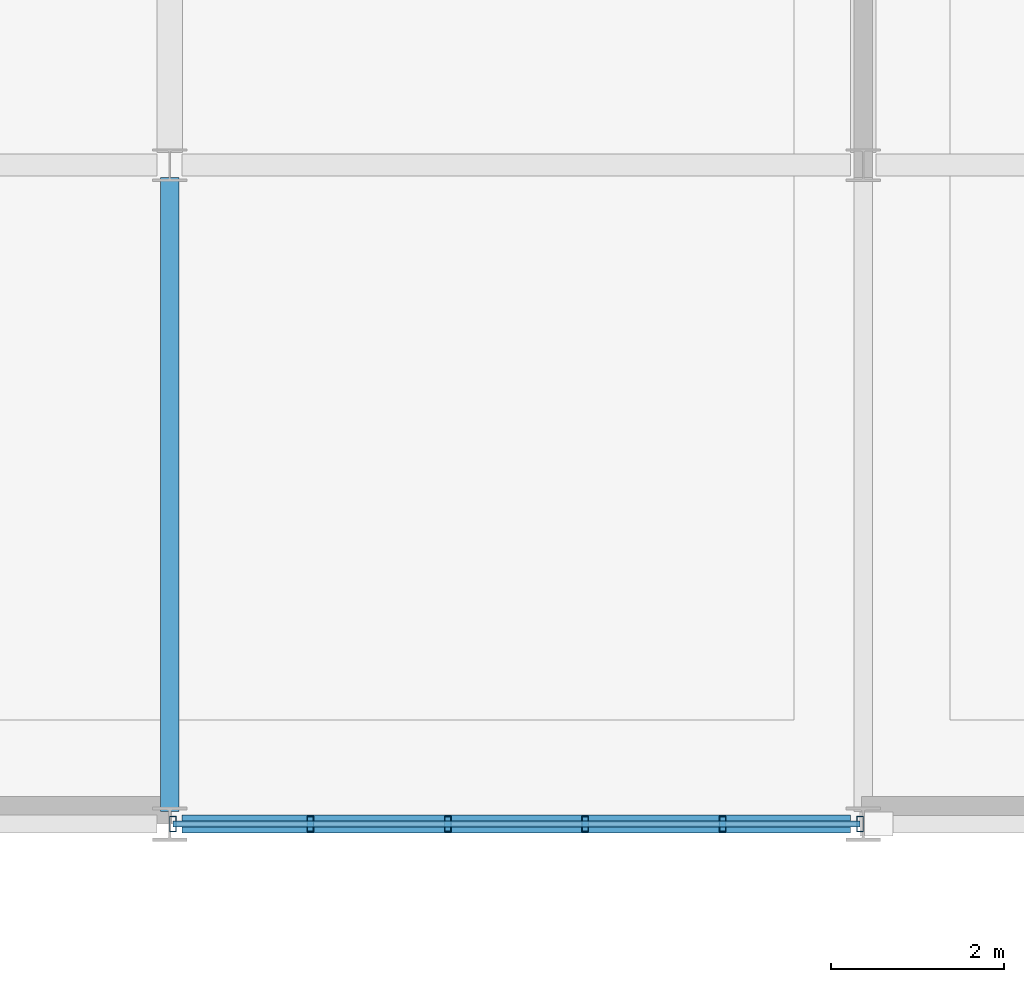
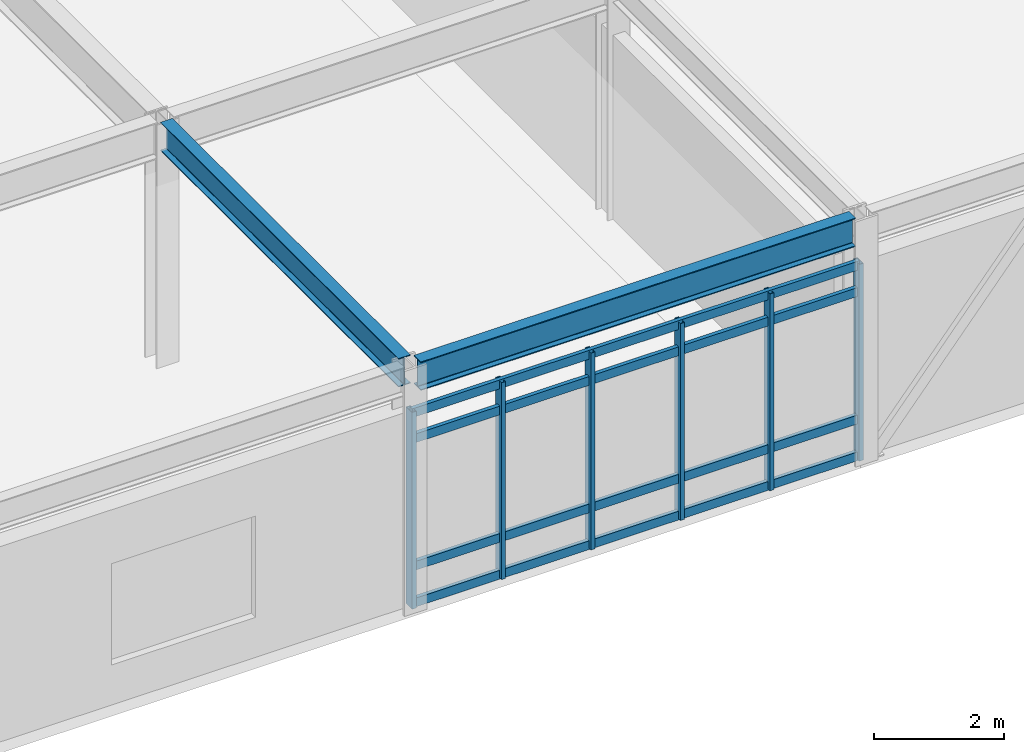
# One storey, part 57 of 104: 10 members, 2 beams, 1 element without a shape of its own.
"""IFC4 building model written with IfcOpenShell, lengths in metres."""

import ifcopenshell
import ifcopenshell.guid

model = None  # the IFC model being written
_history = None  # IfcOwnerHistory: only IFC2X3 demands one
_inside = {}  # id of a spatial element -> (the spatial element, [elements in it])
_under = {}  # id of a project, library or spatial element -> (it, [spatial elements below it])
_declared = {}  # id of a project -> (the project, [libraries it declares])
_typed = {}  # id of a type object -> (the type object, [elements of that type])
_made_of = {}  # id of a material, layer set ... -> (it, [elements and type objects made of it])


def new_model(schema):
    """Start an empty IFC model of exactly this schema.

    Asked for "IFC4X3", IfcOpenShell would pick the latest addendum, in which some entities
    have other attributes; the version numbers below select the first issue.
    IFC2X3 requires an IfcOwnerHistory on every rooted entity: one is made here for all.
    """
    global model, _history
    if schema == "IFC4X3":
        model = ifcopenshell.file(schema_version=(4, 3, 0, 0))
    else:
        model = ifcopenshell.file(schema=schema)
    _inside.clear()
    _under.clear()
    _declared.clear()
    _typed.clear()
    _made_of.clear()
    _history = None
    if model.schema == "IFC2X3":
        org = make("IfcOrganization", Name="unknown")
        user = make(
            "IfcPersonAndOrganization",
            ThePerson=make("IfcPerson", FamilyName="unknown"),
            TheOrganization=org,
        )
        app = make(
            "IfcApplication",
            ApplicationDeveloper=org,
            Version="unknown",
            ApplicationFullName="unknown",
            ApplicationIdentifier="unknown",
        )
        _history = make(
            "IfcOwnerHistory",
            OwningUser=user,
            OwningApplication=app,
            ChangeAction="ADDED",
            CreationDate=0,
        )
    return model


def make(cls, **values):
    """One entity of the class cls with the attributes given. An attribute that is None is left unset."""
    return model.create_entity(
        cls, **{name: value for name, value in values.items() if value is not None}
    )


def rooted(cls, **values):
    """An entity with a GlobalId (a new one), such as an element, a storey or a relation."""
    return make(cls, GlobalId=ifcopenshell.guid.new(), OwnerHistory=_history, **values)


def si_unit(unit_type, name, prefix=None):
    """IfcSIUnit, for example si_unit("LENGTHUNIT", "METRE", prefix="MILLI")."""
    return make("IfcSIUnit", UnitType=unit_type, Prefix=prefix, Name=name)


def assignment(units):
    """IfcUnitAssignment: the units of a project."""
    return None if units is None else make("IfcUnitAssignment", Units=units)


def point(xyz):
    """IfcCartesianPoint."""
    return None if xyz is None else make("IfcCartesianPoint", Coordinates=xyz)


def direction(xyz):
    """IfcDirection."""
    return None if xyz is None else make("IfcDirection", DirectionRatios=xyz)


def frame(location, z_axis=None, x_axis=None):
    """IfcAxis2Placement3D, a coordinate frame: its origin and axes. An axis left out is left unset."""
    return make(
        "IfcAxis2Placement3D",
        Location=point(location),
        Axis=direction(z_axis),
        RefDirection=direction(x_axis),
    )


def frame_2d(location, x_axis=None):
    """IfcAxis2Placement2D, a coordinate frame in the plane: its origin and x axis."""
    return make(
        "IfcAxis2Placement2D", Location=point(location), RefDirection=direction(x_axis)
    )


def origin():
    """The frame at (0, 0, 0) with its axes left unset."""
    return frame((0.0, 0.0, 0.0))


def origin_2d():
    """The frame at (0, 0) in the plane with its x axis left unset."""
    return frame_2d((0.0, 0.0))


def place(relative_to, where):
    """IfcLocalPlacement: puts the frame where relative to a parent placement (None: the world)."""
    return make(
        "IfcLocalPlacement", PlacementRelTo=relative_to, RelativePlacement=where
    )


def context(
    kind, dimensions, precision=None, world=None, true_north=None, identifier=None
):
    """IfcGeometricRepresentationContext, for example the 3D "Model" context."""
    return make(
        "IfcGeometricRepresentationContext",
        ContextIdentifier=identifier,
        ContextType=kind,
        CoordinateSpaceDimension=dimensions,
        Precision=precision,
        WorldCoordinateSystem=world,
        TrueNorth=true_north,
    )


def subcontext(parent, identifier, kind, view, scale=None):
    """IfcGeometricRepresentationSubContext, for example "Body" below "Model"."""
    return make(
        "IfcGeometricRepresentationSubContext",
        ContextIdentifier=identifier,
        ContextType=kind,
        ParentContext=parent,
        TargetScale=scale,
        TargetView=view,
    )


def project(units=None, contexts=None):
    """IfcProject with its units and contexts."""
    return rooted(
        "IfcProject",
        Name="project",
        RepresentationContexts=contexts,
        UnitsInContext=assignment(units),
    )


def spatial(cls, under=None, at=None, **own):
    """A site, building, storey or space (cls), placed at a placement, below another one or the project."""
    s = rooted(cls, ObjectPlacement=at, **own)
    if under is not None:
        _under.setdefault(under.id(), (under, []))[1].append(s)
    return s


def profile(cls, at=None, kind="AREA", **sizes):
    """A parametric profile (cls). Its sizes go by their IFC names, for example OverallWidth=200.0."""
    return make(cls, ProfileType=kind, Position=at, **sizes)


def hollow_rectangle(**sizes):
    """IfcRectangleHollowProfileDef."""
    return profile("IfcRectangleHollowProfileDef", **sizes)


def i_section(**sizes):
    """IfcIShapeProfileDef."""
    return profile("IfcIShapeProfileDef", **sizes)


def extrude(swept, where, along, depth):
    """IfcExtrudedAreaSolid: the profile swept, set in the frame where, extruded along a direction by depth."""
    return make(
        "IfcExtrudedAreaSolid",
        SweptArea=swept,
        Position=where,
        ExtrudedDirection=direction(along),
        Depth=depth,
    )


def shape(context_of_items, identifier, shape_type, items):
    """IfcShapeRepresentation: the items that make up one representation, for example the "Body"."""
    return make(
        "IfcShapeRepresentation",
        ContextOfItems=context_of_items,
        RepresentationIdentifier=identifier,
        RepresentationType=shape_type,
        Items=items,
    )


def material(Name=None, Category=None):
    """IfcMaterial."""
    return make("IfcMaterial", Name=Name, Category=Category)


def material_profile(
    of_material, cross_section, Name=None, Category=None, Priority=None
):
    """IfcMaterialProfile: a cross section and its material."""
    return make(
        "IfcMaterialProfile",
        Name=Name,
        Material=of_material,
        Profile=cross_section,
        Priority=Priority,
        Category=Category,
    )


def profile_set(profiles, Name=None, composite=None):
    """IfcMaterialProfileSet."""
    return make(
        "IfcMaterialProfileSet",
        Name=Name,
        MaterialProfiles=profiles,
        CompositeProfile=composite,
    )


def made_of(thing, what):
    """Note that an element or type object is made of a material, layer set ...; save() writes the relation."""
    if what is not None:
        _made_of.setdefault(what.id(), (what, []))[1].append(thing)
    return thing


def type_object(cls, material=None, **own):
    """A type object (cls), such as IfcWallType, which elements share."""
    return made_of(rooted(cls, **own), material)


def element(
    cls,
    number,
    at=None,
    inside=None,
    cuts=None,
    type_object=None,
    material=None,
    context=None,
    identifier="Body",
    shape_type=None,
    held_by="IfcProductDefinitionShape",
    body=None,
    shapes=None,
    **own,
):
    """One element of the class cls, such as IfcWall. Its Tag is "e" and its number.

    at: its placement. inside: the storey or other place that contains it. cuts: it is an
    opening in that element (IfcRelVoidsElement). A single representation is given by context,
    identifier, shape_type and body (its items); several are given by shapes. held_by: the class
    of the entity that holds the representations. save() writes the other relations.
    """
    e = rooted(cls, Tag="e%d" % number, ObjectPlacement=at, **own)
    if body is not None:
        shapes = [shape(context, identifier, shape_type, body)]
    if shapes is not None:
        e.Representation = make(held_by, Representations=shapes)
    if inside is not None:
        _inside.setdefault(inside.id(), (inside, []))[1].append(e)
    if cuts is not None:
        rooted(
            "IfcRelVoidsElement", RelatingBuildingElement=cuts, RelatedOpeningElement=e
        )
    if type_object is not None:
        _typed.setdefault(type_object.id(), (type_object, []))[1].append(e)
    return made_of(e, material)


def aggregate(whole, parts):
    """IfcRelAggregates: a whole, such as a stair, and the parts it consists of."""
    return rooted("IfcRelAggregates", RelatingObject=whole, RelatedObjects=parts)


def save(model, path):
    """Write the relations noted so far, then the file.

    IfcRelAggregates (storeys below a building ...), IfcRelContainedInSpatialStructure (elements
    in a storey), IfcRelDefinesByType, IfcRelAssociatesMaterial and IfcRelDeclares: one each for
    every whole, place, type object, material and project.
    """
    for whole, parts in _under.values():
        aggregate(whole, parts)
    for where, things in _inside.values():
        rooted(
            "IfcRelContainedInSpatialStructure",
            RelatedElements=things,
            RelatingStructure=where,
        )
    for kind, things in _typed.values():
        rooted("IfcRelDefinesByType", RelatedObjects=things, RelatingType=kind)
    for what, things in _made_of.values():
        rooted("IfcRelAssociatesMaterial", RelatedObjects=things, RelatingMaterial=what)
    for by, libraries in _declared.values():
        rooted("IfcRelDeclares", RelatingContext=by, RelatedDefinitions=libraries)
    model.write(path)


model = new_model("IFC4")

# Units and contexts
model_context = context("Model", 3, precision=1e-05, world=origin(), true_north=direction((0.0, 1.0)))
body_context = subcontext(model_context, "Body", "Model", "MODEL_VIEW")
ifc_project = project(units=[si_unit("LENGTHUNIT", "METRE"), si_unit("AREAUNIT", "SQUARE_METRE"), si_unit("VOLUMEUNIT", "CUBIC_METRE"), si_unit("PLANEANGLEUNIT", "RADIAN"), si_unit("MASSUNIT", "GRAM", prefix="KILO")], contexts=[model_context])

# Site, building, storey
site_placement = place(None, origin())
site = spatial("IfcSite", under=ifc_project, at=site_placement, CompositionType="ELEMENT")
building_placement = place(site_placement, origin())
building = spatial("IfcBuilding", under=site, at=building_placement, Name="Zulena Civic Courthouse", CompositionType="ELEMENT")
storey_placement = place(building_placement, frame((0.0, 0.0, 15.60009765625)))
storey = spatial("IfcBuildingStorey", under=building, at=storey_placement, Name="L03", CompositionType="ELEMENT", Elevation=15.60009765625)

# Curtain wall, members
ifc_material_1 = material(Name="Double-silver low-E laminated solar-control glass", Category="glass")
curtain_wall_type = type_object("IfcCurtainWallType", Name="CW_7928x3690", PredefinedType="USERDEFINED", material=ifc_material_1)
curtain_wall_placement = place(storey_placement, origin())
curtain_wall = element("IfcCurtainWall", 1, at=curtain_wall_placement, inside=storey, type_object=curtain_wall_type, Name="cw:V1:L03:3:3", ObjectType="UNITISED CURTAIN WALL", PredefinedType="USERDEFINED")
ifc_material_2 = material(Name="Bronze anodised thermally broken aluminium AA6063-T6", Category="aluminium")
ifc_material_profile_1 = material_profile(ifc_material_2, hollow_rectangle(XDim=0.074951171875, YDim=0.179931640625, WallThickness=0.0048828125, at=origin_2d()), Name="CWM180X75X5")
ifc_profile_set_1 = profile_set([ifc_material_profile_1], Name="Bronze anodised thermally broken aluminium AA6063-T6")
member_type_1 = type_object("IfcMemberType", Name="CWMullion_180x75", PredefinedType="MULLION", material=ifc_profile_set_1)
member_1_placement = place(storey_placement, frame((147.964111328125, 0.0, 0.0), z_axis=(0.0, 0.0, 1.0), x_axis=(1.0, 0.0, 0.0)))
member_1 = element("IfcMember", 2, at=member_1_placement, type_object=member_type_1, Name="cw:V1:L03:3:3:mull:0", PredefinedType="MULLION", context=body_context, shape_type="SweptSolid", body=[
    extrude(hollow_rectangle(XDim=0.074951171875, YDim=0.179931640625, WallThickness=0.0048828125, at=origin_2d()), origin(), (0.0, 0.0, 1.0), 3.68994140625),
])
member_2_placement = place(storey_placement, frame((146.37841796875, 0.0, 0.0), z_axis=(0.0, 0.0, 1.0), x_axis=(1.0, 0.0, 0.0)))
member_2 = element("IfcMember", 3, at=member_2_placement, type_object=member_type_1, Name="cw:V1:L03:3:3:mull:1", PredefinedType="MULLION", context=body_context, shape_type="SweptSolid", body=[
    extrude(hollow_rectangle(XDim=0.074951171875, YDim=0.179931640625, WallThickness=0.0048828125, at=origin_2d()), origin(), (0.0, 0.0, 1.0), 3.68994140625),
])
member_3_placement = place(storey_placement, frame((144.792724609375, 0.0, 0.0), z_axis=(0.0, 0.0, 1.0), x_axis=(1.0, 0.0, 0.0)))
member_3 = element("IfcMember", 4, at=member_3_placement, type_object=member_type_1, Name="cw:V1:L03:3:3:mull:2", PredefinedType="MULLION", context=body_context, shape_type="SweptSolid", body=[
    extrude(hollow_rectangle(XDim=0.074951171875, YDim=0.179931640625, WallThickness=0.0048828125, at=origin_2d()), origin(), (0.0, 0.0, 1.0), 3.68994140625),
])
member_4_placement = place(storey_placement, frame((143.207275390625, 0.0, 0.0), z_axis=(0.0, 0.0, 1.0), x_axis=(1.0, 0.0, 0.0)))
member_4 = element("IfcMember", 5, at=member_4_placement, type_object=member_type_1, Name="cw:V1:L03:3:3:mull:3", PredefinedType="MULLION", context=body_context, shape_type="SweptSolid", body=[
    extrude(hollow_rectangle(XDim=0.074951171875, YDim=0.179931640625, WallThickness=0.0048828125, at=origin_2d()), origin(), (0.0, 0.0, 1.0), 3.68994140625),
])
member_5_placement = place(storey_placement, frame((141.62158203125, 0.0, 0.0), z_axis=(0.0, 0.0, 1.0), x_axis=(1.0, 0.0, 0.0)))
member_5 = element("IfcMember", 6, at=member_5_placement, type_object=member_type_1, Name="cw:V1:L03:3:3:mull:4", PredefinedType="MULLION", context=body_context, shape_type="SweptSolid", body=[
    extrude(hollow_rectangle(XDim=0.074951171875, YDim=0.179931640625, WallThickness=0.0048828125, at=origin_2d()), origin(), (0.0, 0.0, 1.0), 3.68994140625),
])
member_6_placement = place(storey_placement, frame((140.035888671875, 0.0, 0.0), z_axis=(0.0, 0.0, 1.0), x_axis=(1.0, 0.0, 0.0)))
member_6 = element("IfcMember", 7, at=member_6_placement, type_object=member_type_1, Name="cw:V1:L03:3:3:mull:5", PredefinedType="MULLION", context=body_context, shape_type="SweptSolid", body=[
    extrude(hollow_rectangle(XDim=0.074951171875, YDim=0.179931640625, WallThickness=0.0048828125, at=origin_2d()), origin(), (0.0, 0.0, 1.0), 3.68994140625),
])
ifc_material_profile_2 = material_profile(ifc_material_2, hollow_rectangle(XDim=0.070068359375, YDim=0.1650390625, WallThickness=0.00390625, at=origin_2d()), Name="CWT165X70X4")
ifc_profile_set_2 = profile_set([ifc_material_profile_2], Name="Bronze anodised thermally broken aluminium AA6063-T6")
member_type_2 = type_object("IfcMemberType", Name="CWTransom_165x70", PredefinedType="USERDEFINED", material=ifc_profile_set_2)
member_7_placement = place(storey_placement, frame((147.964111328125, 0.0, 0.059814453125), z_axis=(-1.0, 0.0, 0.0), x_axis=(0.0, -1.0, 0.0)))
member_7 = element("IfcMember", 8, at=member_7_placement, type_object=member_type_2, Name="cw:V1:L03:3:3:tran:0", ObjectType="TRANSOM", PredefinedType="USERDEFINED", context=body_context, shape_type="SweptSolid", body=[
    extrude(hollow_rectangle(XDim=0.070068359375, YDim=0.1650390625, WallThickness=0.00390625, at=origin_2d()), origin(), (0.0, 0.0, 1.0), 7.92822265625),
])
member_8_placement = place(storey_placement, frame((147.964111328125, 0.0, 0.75), z_axis=(-1.0, 0.0, 0.0), x_axis=(0.0, -1.0, 0.0)))
member_8 = element("IfcMember", 9, at=member_8_placement, type_object=member_type_2, Name="cw:V1:L03:3:3:tran:1", ObjectType="TRANSOM", PredefinedType="USERDEFINED", context=body_context, shape_type="SweptSolid", body=[
    extrude(hollow_rectangle(XDim=0.070068359375, YDim=0.1650390625, WallThickness=0.00390625, at=origin_2d()), origin(), (0.0, 0.0, 1.0), 7.92822265625),
])
member_9_placement = place(storey_placement, frame((147.964111328125, 0.0, 3.139892578125), z_axis=(-1.0, 0.0, 0.0), x_axis=(0.0, -1.0, 0.0)))
member_9 = element("IfcMember", 10, at=member_9_placement, type_object=member_type_2, Name="cw:V1:L03:3:3:tran:2", ObjectType="TRANSOM", PredefinedType="USERDEFINED", context=body_context, shape_type="SweptSolid", body=[
    extrude(hollow_rectangle(XDim=0.070068359375, YDim=0.1650390625, WallThickness=0.00390625, at=origin_2d()), origin(), (0.0, 0.0, 1.0), 7.92822265625),
])
member_10_placement = place(storey_placement, frame((147.964111328125, 0.0, 3.6298828125), z_axis=(-1.0, 0.0, 0.0), x_axis=(0.0, -1.0, 0.0)))
member_10 = element("IfcMember", 11, at=member_10_placement, type_object=member_type_2, Name="cw:V1:L03:3:3:tran:3", ObjectType="TRANSOM", PredefinedType="USERDEFINED", context=body_context, shape_type="SweptSolid", body=[
    extrude(hollow_rectangle(XDim=0.070068359375, YDim=0.1650390625, WallThickness=0.00390625, at=origin_2d()), origin(), (0.0, 0.0, 1.0), 7.92822265625),
])
aggregate(curtain_wall, [member_1, member_2, member_3, member_4, member_5, member_6, member_7, member_8, member_9, member_10])

# Beams
ifc_material_3 = material(Name="Steel ASTM A992 Grade 50", Category="steel")
ifc_material_profile_3 = material_profile(ifc_material_3, i_section(OverallWidth=0.2099609375, OverallDepth=0.537109375, WebThickness=0.010986328125, FlangeThickness=0.017333984375, FilletRadius=0.0126953125, at=origin_2d()), Name="W21X68")
ifc_profile_set_3 = profile_set([ifc_material_profile_3], Name="Steel ASTM A992 Grade 50")
beam_type = type_object("IfcBeamType", Name="Spandrel_W21X68", PredefinedType="SPANDREL", material=ifc_profile_set_3)
beam_1_placement = place(storey_placement, frame((140.14501953125, 0.0, 4.326416015625), z_axis=(1.0, 0.0, 0.0), x_axis=(0.0, 1.0, 0.0)))
element("IfcBeam", 12, at=beam_1_placement, inside=storey, type_object=beam_type, Name="beam:X:V1:L03:0.0:140.0_148.0", PredefinedType="SPANDREL", context=body_context, shape_type="SweptSolid", body=[
    extrude(i_section(OverallWidth=0.2099609375, OverallDepth=0.537109375, WebThickness=0.010986328125, FlangeThickness=0.017333984375, FilletRadius=0.0126953125, at=origin_2d()), origin(), (0.0, 0.0, 1.0), 7.7099609375),
])
beam_2_placement = place(storey_placement, frame((140.0, 0.14501953125, 4.326416015625), z_axis=(0.0, 1.0, 0.0), x_axis=(-1.0, 0.0, 0.0)))
element("IfcBeam", 13, at=beam_2_placement, inside=storey, type_object=beam_type, Name="beam:Y:V1:L03:140.0:0.0_7.6", PredefinedType="SPANDREL", context=body_context, shape_type="SweptSolid", body=[
    extrude(i_section(OverallWidth=0.2099609375, OverallDepth=0.537109375, WebThickness=0.010986328125, FlangeThickness=0.017333984375, FilletRadius=0.0126953125, at=origin_2d()), origin(), (0.0, 0.0, 1.0), 7.31005859375),
])

save(model, "model.ifc")
